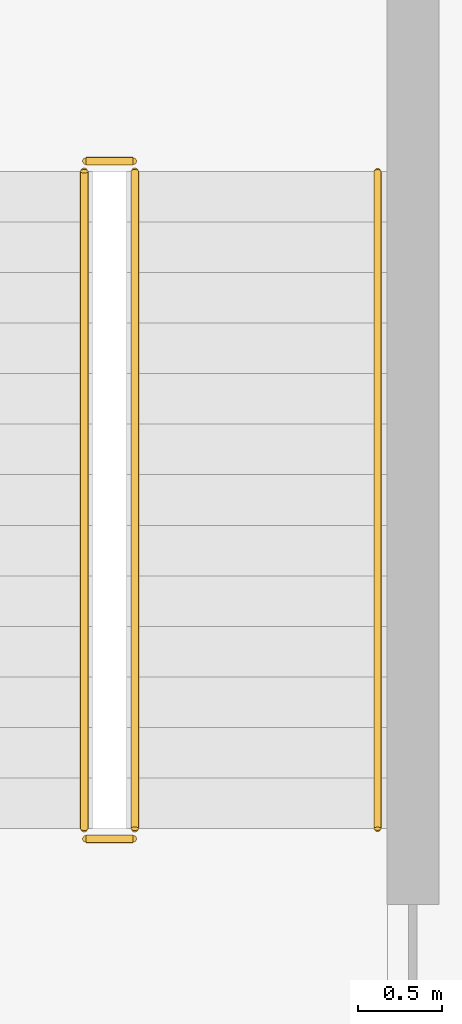
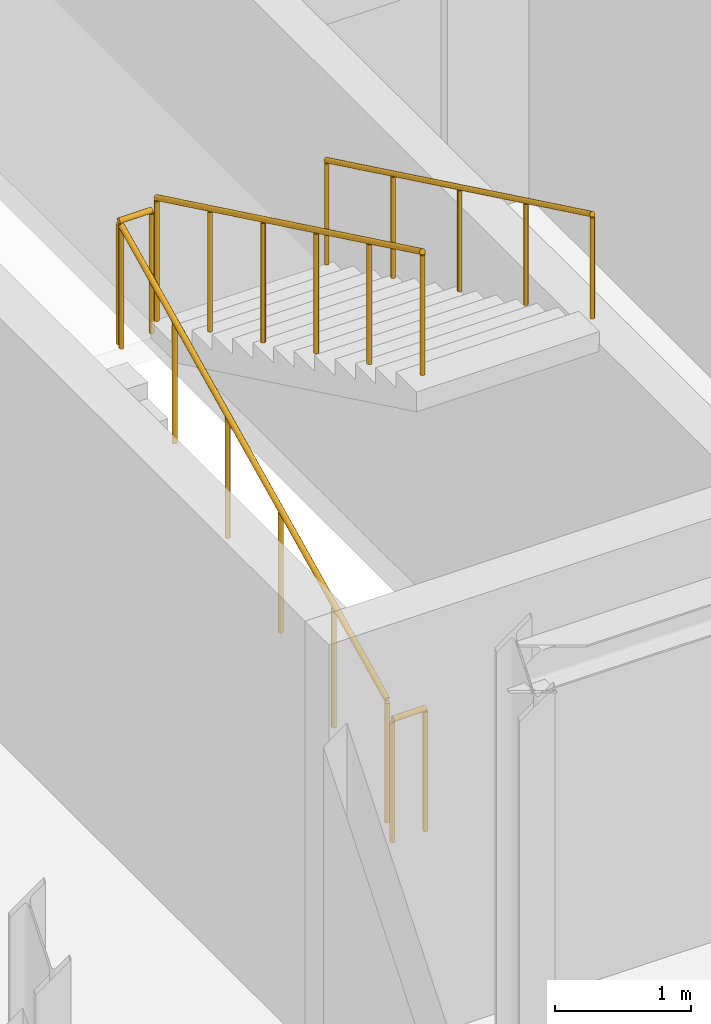
# One storey, part 10 of 13: 5 railings, 1 element without a shape of its own.
"""IFC4 building model written with IfcOpenShell, lengths in metres."""

from ifc_helpers import new_model, si_unit, direction, frame, origin, origin_2d, place, context, subcontext, project, spatial, circle, extrude, material, type_object, element, aggregate, save


model = new_model("IFC4")

# Units and contexts
model_context = context("Model", 3, precision=1e-05, world=origin(), true_north=direction((0.0, 1.0)))
body_context = subcontext(model_context, "Body", "Model", "MODEL_VIEW")
ifc_project = project(units=[si_unit("LENGTHUNIT", "METRE"), si_unit("AREAUNIT", "SQUARE_METRE"), si_unit("VOLUMEUNIT", "CUBIC_METRE"), si_unit("PLANEANGLEUNIT", "RADIAN"), si_unit("MASSUNIT", "GRAM", prefix="KILO")], contexts=[model_context])

# Site, building, storey
site_placement = place(None, origin())
site = spatial("IfcSite", under=ifc_project, at=site_placement, CompositionType="ELEMENT")
building_placement = place(site_placement, origin())
building = spatial("IfcBuilding", under=site, at=building_placement, Name="Kolvaren Corner Interchange", CompositionType="ELEMENT")
storey_placement = place(building_placement, frame((0.0, 0.0, 14.699951171875)))
storey = spatial("IfcBuildingStorey", under=building, at=storey_placement, Name="L04", CompositionType="ELEMENT", Elevation=14.699951171875)

# Railing
ifc_material_1 = material(Name="Powder-Coated Steel Stairwell Guardrail", Category="steel")
railing_type_1 = type_object("IfcRailingType", Name="RLT-STAIR-GRD1120", PredefinedType="GUARDRAIL", material=ifc_material_1)
railing_1_placement = place(storey_placement, frame((9.06005859375, 50.2900390625, 0.0)))
element("IfcRailing", 1, at=railing_1_placement, inside=storey, type_object=railing_type_1, Name="Core C2 Northwest Firefighting Stair L04 Landing Edge Guardrail", PredefinedType="GUARDRAIL", context=body_context, shape_type="SweptSolid", body=[
    extrude(circle(Radius=0.02392578125, at=origin_2d()), frame((0.0, 0.0, 1.09619140625), z_axis=(1.0, 0.0, 0.0), x_axis=(0.0, 1.0, 0.0)), (0.0, 0.0, 1.0), 0.280029296875),
    extrude(circle(Radius=0.02001953125, at=origin_2d()), origin(), (0.0, 0.0, 1.0), 1.072021484375),
    extrude(circle(Radius=0.02001953125, at=origin_2d()), frame((0.280029296875, 0.0, 0.0)), (0.0, 0.0, 1.0), 1.072021484375),
])

# Stair, railings
ifc_material_2 = material(Name="Concrete C35/45", Category="concrete")
stair_type = type_object("IfcStairType", Name="ST-FF-1550", PredefinedType="HALF_TURN_STAIR", material=ifc_material_2)
stair_placement = place(storey_placement, origin())
stair = element("IfcStair", 2, at=stair_placement, inside=storey, type_object=stair_type, Name="Core C2 Northwest Firefighting Stair L04 to L05 Stair", PredefinedType="HALF_TURN_STAIR")
railing_2_placement = place(storey_placement, frame((9.050048828125, 50.35009765625, 0.14453125)))
railing_2 = element("IfcRailing", 3, at=railing_2_placement, type_object=railing_type_1, Name="Core C2 Northwest Firefighting Stair L04 Lower Flight Well Guardrail", PredefinedType="GUARDRAIL", context=body_context, shape_type="SweptSolid", body=[
    extrude(circle(Radius=0.02392578125, at=origin_2d()), frame((0.0, 0.0, 1.09619140625), z_axis=(0.0, 0.900741105627, 0.43435637515), x_axis=(-1.0, 0.0, 0.0)), (0.0, 0.0, 1.0), 4.32958984375),
    extrude(circle(Radius=0.02001953125, at=origin_2d()), origin(), (0.0, 0.0, 1.0), 1.072021484375),
    extrude(circle(Radius=0.02001953125, at=origin_2d()), frame((0.0, 0.780029296875, 0.376220703125)), (0.0, 0.0, 1.0), 1.072021484375),
    extrude(circle(Radius=0.02001953125, at=origin_2d()), frame((0.0, 1.56005859375, 0.752197265625)), (0.0, 0.0, 1.0), 1.072021484375),
    extrude(circle(Radius=0.02001953125, at=origin_2d()), frame((0.0, 2.33984375, 1.12841796875)), (0.0, 0.0, 1.0), 1.072021484375),
    extrude(circle(Radius=0.02001953125, at=origin_2d()), frame((0.0, 3.119873046875, 1.50439453125)), (0.0, 0.0, 1.0), 1.072021484375),
    extrude(circle(Radius=0.02001953125, at=origin_2d()), frame((0.0, 3.89990234375, 1.880615234375)), (0.0, 0.0, 1.0), 1.072021484375),
])
railing_3_placement = place(storey_placement, frame((9.06005859375, 54.31005859375, 2.025146484375)))
railing_3 = element("IfcRailing", 4, at=railing_3_placement, type_object=railing_type_1, Name="Core C2 Northwest Firefighting Stair L04 Half Landing Well Guardrail", PredefinedType="GUARDRAIL", context=body_context, shape_type="SweptSolid", body=[
    extrude(circle(Radius=0.02392578125, at=origin_2d()), frame((0.0, 0.0, 1.09619140625), z_axis=(1.0, 0.0, 0.0), x_axis=(0.0, 1.0, 0.0)), (0.0, 0.0, 1.0), 0.280029296875),
    extrude(circle(Radius=0.02001953125, at=origin_2d()), origin(), (0.0, 0.0, 1.0), 1.072021484375),
    extrude(circle(Radius=0.02001953125, at=origin_2d()), frame((0.280029296875, 0.0, 0.0)), (0.0, 0.0, 1.0), 1.072021484375),
])
railing_4_placement = place(storey_placement, frame((9.35009765625, 54.25, 2.169677734375)))
railing_4 = element("IfcRailing", 5, at=railing_4_placement, type_object=railing_type_1, Name="Core C2 Northwest Firefighting Stair L04 Upper Flight Well Guardrail", PredefinedType="GUARDRAIL", context=body_context, shape_type="SweptSolid", body=[
    extrude(circle(Radius=0.02392578125, at=origin_2d()), frame((0.0, 0.0, 1.09619140625), z_axis=(0.0, -0.900763166376, 0.434310623978), x_axis=(1.0, 0.0, 0.0)), (0.0, 0.0, 1.0), 4.32958984375),
    extrude(circle(Radius=0.02001953125, at=origin_2d()), origin(), (0.0, 0.0, 1.0), 1.072021484375),
    extrude(circle(Radius=0.02001953125, at=origin_2d()), frame((0.0, -0.780029296875, 0.3759765625)), (0.0, 0.0, 1.0), 1.072021484375),
    extrude(circle(Radius=0.02001953125, at=origin_2d()), frame((0.0, -1.56005859375, 0.752197265625)), (0.0, 0.0, 1.0), 1.072021484375),
    extrude(circle(Radius=0.02001953125, at=origin_2d()), frame((0.0, -2.33984375, 1.128173828125)), (0.0, 0.0, 1.0), 1.072021484375),
    extrude(circle(Radius=0.02001953125, at=origin_2d()), frame((0.0, -3.119873046875, 1.50439453125)), (0.0, 0.0, 1.0), 1.072021484375),
    extrude(circle(Radius=0.02001953125, at=origin_2d()), frame((0.0, -3.89990234375, 1.88037109375)), (0.0, 0.0, 1.0), 1.072021484375),
])
ifc_material_3 = material(Name="Brushed Stainless Steel Stair Handrail", Category="steel")
railing_type_2 = type_object("IfcRailingType", Name="RLT-STAIR-HR950", PredefinedType="HANDRAIL", material=ifc_material_3)
railing_5_placement = place(storey_placement, frame((10.7900390625, 54.25, 2.169677734375)))
railing_5 = element("IfcRailing", 6, at=railing_5_placement, type_object=railing_type_2, Name="Core C2 Northwest Firefighting Stair L04 Upper Flight Wall Handrail", PredefinedType="HANDRAIL", context=body_context, shape_type="SweptSolid", body=[
    extrude(circle(Radius=0.02197265625, at=origin_2d()), frame((0.0, 0.0, 0.927978515625), z_axis=(0.0, -0.900763166376, 0.434310623978), x_axis=(1.0, 0.0, 0.0)), (0.0, 0.0, 1.0), 4.32958984375),
    extrude(circle(Radius=0.01806640625, at=origin_2d()), origin(), (0.0, 0.0, 1.0), 0.906005859375),
    extrude(circle(Radius=0.01806640625, at=origin_2d()), frame((0.0, -0.97509765625, 0.47021484375)), (0.0, 0.0, 1.0), 0.906005859375),
    extrude(circle(Radius=0.01806640625, at=origin_2d()), frame((0.0, -1.949951171875, 0.940185546875)), (0.0, 0.0, 1.0), 0.906005859375),
    extrude(circle(Radius=0.01806640625, at=origin_2d()), frame((0.0, -2.9248046875, 1.41015625)), (0.0, 0.0, 1.0), 0.906005859375),
    extrude(circle(Radius=0.01806640625, at=origin_2d()), frame((0.0, -3.89990234375, 1.88037109375)), (0.0, 0.0, 1.0), 0.906005859375),
])
aggregate(stair, [railing_2, railing_3, railing_4, railing_5])

save(model, "model.ifc")
